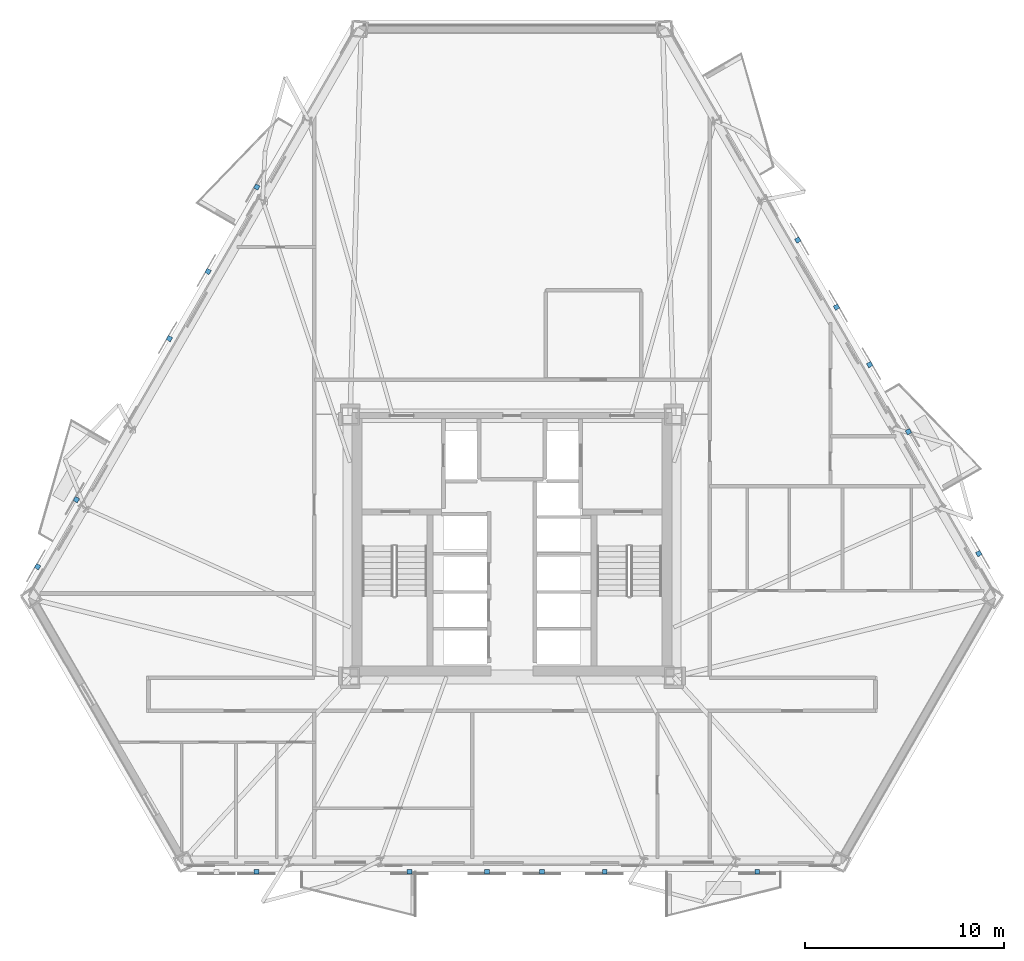
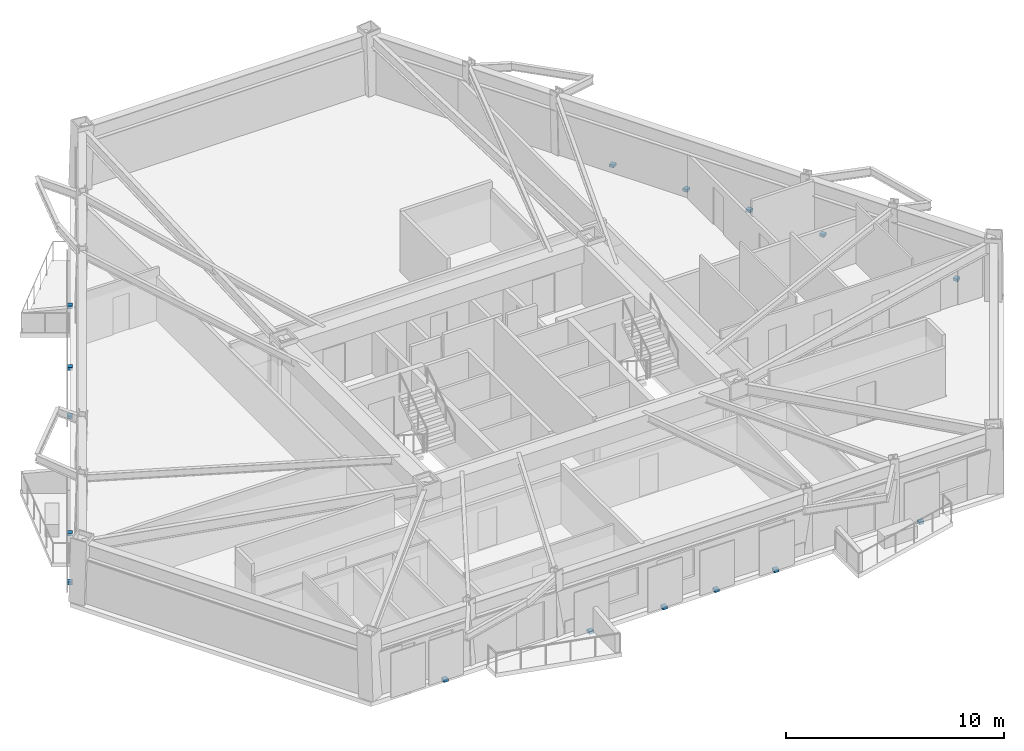
# One storey, part 6 of 13: 16 discrete accessories.
"""IFC4 building model written with IfcOpenShell, lengths in metres."""

import ifcopenshell
import ifcopenshell.guid

model = None  # the IFC model being written
_history = None  # IfcOwnerHistory: only IFC2X3 demands one
_inside = {}  # id of a spatial element -> (the spatial element, [elements in it])
_under = {}  # id of a project, library or spatial element -> (it, [spatial elements below it])
_declared = {}  # id of a project -> (the project, [libraries it declares])
_typed = {}  # id of a type object -> (the type object, [elements of that type])
_made_of = {}  # id of a material, layer set ... -> (it, [elements and type objects made of it])


def new_model(schema):
    """Start an empty IFC model of exactly this schema.

    Asked for "IFC4X3", IfcOpenShell would pick the latest addendum, in which some entities
    have other attributes; the version numbers below select the first issue.
    IFC2X3 requires an IfcOwnerHistory on every rooted entity: one is made here for all.
    """
    global model, _history
    if schema == "IFC4X3":
        model = ifcopenshell.file(schema_version=(4, 3, 0, 0))
    else:
        model = ifcopenshell.file(schema=schema)
    _inside.clear()
    _under.clear()
    _declared.clear()
    _typed.clear()
    _made_of.clear()
    _history = None
    if model.schema == "IFC2X3":
        org = make("IfcOrganization", Name="unknown")
        user = make(
            "IfcPersonAndOrganization",
            ThePerson=make("IfcPerson", FamilyName="unknown"),
            TheOrganization=org,
        )
        app = make(
            "IfcApplication",
            ApplicationDeveloper=org,
            Version="unknown",
            ApplicationFullName="unknown",
            ApplicationIdentifier="unknown",
        )
        _history = make(
            "IfcOwnerHistory",
            OwningUser=user,
            OwningApplication=app,
            ChangeAction="ADDED",
            CreationDate=0,
        )
    return model


def make(cls, **values):
    """One entity of the class cls with the attributes given. An attribute that is None is left unset."""
    return model.create_entity(
        cls, **{name: value for name, value in values.items() if value is not None}
    )


def rooted(cls, **values):
    """An entity with a GlobalId (a new one), such as an element, a storey or a relation."""
    return make(cls, GlobalId=ifcopenshell.guid.new(), OwnerHistory=_history, **values)


def si_unit(unit_type, name, prefix=None):
    """IfcSIUnit, for example si_unit("LENGTHUNIT", "METRE", prefix="MILLI")."""
    return make("IfcSIUnit", UnitType=unit_type, Prefix=prefix, Name=name)


def assignment(units):
    """IfcUnitAssignment: the units of a project."""
    return None if units is None else make("IfcUnitAssignment", Units=units)


def point(xyz):
    """IfcCartesianPoint."""
    return None if xyz is None else make("IfcCartesianPoint", Coordinates=xyz)


def direction(xyz):
    """IfcDirection."""
    return None if xyz is None else make("IfcDirection", DirectionRatios=xyz)


def frame(location, z_axis=None, x_axis=None):
    """IfcAxis2Placement3D, a coordinate frame: its origin and axes. An axis left out is left unset."""
    return make(
        "IfcAxis2Placement3D",
        Location=point(location),
        Axis=direction(z_axis),
        RefDirection=direction(x_axis),
    )


def frame_2d(location, x_axis=None):
    """IfcAxis2Placement2D, a coordinate frame in the plane: its origin and x axis."""
    return make(
        "IfcAxis2Placement2D", Location=point(location), RefDirection=direction(x_axis)
    )


def origin():
    """The frame at (0, 0, 0) with its axes left unset."""
    return frame((0.0, 0.0, 0.0))


def origin_2d():
    """The frame at (0, 0) in the plane with its x axis left unset."""
    return frame_2d((0.0, 0.0))


def place(relative_to, where):
    """IfcLocalPlacement: puts the frame where relative to a parent placement (None: the world)."""
    return make(
        "IfcLocalPlacement", PlacementRelTo=relative_to, RelativePlacement=where
    )


def context(
    kind, dimensions, precision=None, world=None, true_north=None, identifier=None
):
    """IfcGeometricRepresentationContext, for example the 3D "Model" context."""
    return make(
        "IfcGeometricRepresentationContext",
        ContextIdentifier=identifier,
        ContextType=kind,
        CoordinateSpaceDimension=dimensions,
        Precision=precision,
        WorldCoordinateSystem=world,
        TrueNorth=true_north,
    )


def subcontext(parent, identifier, kind, view, scale=None):
    """IfcGeometricRepresentationSubContext, for example "Body" below "Model"."""
    return make(
        "IfcGeometricRepresentationSubContext",
        ContextIdentifier=identifier,
        ContextType=kind,
        ParentContext=parent,
        TargetScale=scale,
        TargetView=view,
    )


def project(units=None, contexts=None):
    """IfcProject with its units and contexts."""
    return rooted(
        "IfcProject",
        Name="project",
        RepresentationContexts=contexts,
        UnitsInContext=assignment(units),
    )


def spatial(cls, under=None, at=None, **own):
    """A site, building, storey or space (cls), placed at a placement, below another one or the project."""
    s = rooted(cls, ObjectPlacement=at, **own)
    if under is not None:
        _under.setdefault(under.id(), (under, []))[1].append(s)
    return s


def profile(cls, at=None, kind="AREA", **sizes):
    """A parametric profile (cls). Its sizes go by their IFC names, for example OverallWidth=200.0."""
    return make(cls, ProfileType=kind, Position=at, **sizes)


def rectangle(**sizes):
    """IfcRectangleProfileDef."""
    return profile("IfcRectangleProfileDef", **sizes)


def extrude(swept, where, along, depth):
    """IfcExtrudedAreaSolid: the profile swept, set in the frame where, extruded along a direction by depth."""
    return make(
        "IfcExtrudedAreaSolid",
        SweptArea=swept,
        Position=where,
        ExtrudedDirection=direction(along),
        Depth=depth,
    )


def shape(context_of_items, identifier, shape_type, items):
    """IfcShapeRepresentation: the items that make up one representation, for example the "Body"."""
    return make(
        "IfcShapeRepresentation",
        ContextOfItems=context_of_items,
        RepresentationIdentifier=identifier,
        RepresentationType=shape_type,
        Items=items,
    )


def made_of(thing, what):
    """Note that an element or type object is made of a material, layer set ...; save() writes the relation."""
    if what is not None:
        _made_of.setdefault(what.id(), (what, []))[1].append(thing)
    return thing


def element(
    cls,
    number,
    at=None,
    inside=None,
    cuts=None,
    type_object=None,
    material=None,
    context=None,
    identifier="Body",
    shape_type=None,
    held_by="IfcProductDefinitionShape",
    body=None,
    shapes=None,
    **own,
):
    """One element of the class cls, such as IfcWall. Its Tag is "e" and its number.

    at: its placement. inside: the storey or other place that contains it. cuts: it is an
    opening in that element (IfcRelVoidsElement). A single representation is given by context,
    identifier, shape_type and body (its items); several are given by shapes. held_by: the class
    of the entity that holds the representations. save() writes the other relations.
    """
    e = rooted(cls, Tag="e%d" % number, ObjectPlacement=at, **own)
    if body is not None:
        shapes = [shape(context, identifier, shape_type, body)]
    if shapes is not None:
        e.Representation = make(held_by, Representations=shapes)
    if inside is not None:
        _inside.setdefault(inside.id(), (inside, []))[1].append(e)
    if cuts is not None:
        rooted(
            "IfcRelVoidsElement", RelatingBuildingElement=cuts, RelatedOpeningElement=e
        )
    if type_object is not None:
        _typed.setdefault(type_object.id(), (type_object, []))[1].append(e)
    return made_of(e, material)


def aggregate(whole, parts):
    """IfcRelAggregates: a whole, such as a stair, and the parts it consists of."""
    return rooted("IfcRelAggregates", RelatingObject=whole, RelatedObjects=parts)


def save(model, path):
    """Write the relations noted so far, then the file.

    IfcRelAggregates (storeys below a building ...), IfcRelContainedInSpatialStructure (elements
    in a storey), IfcRelDefinesByType, IfcRelAssociatesMaterial and IfcRelDeclares: one each for
    every whole, place, type object, material and project.
    """
    for whole, parts in _under.values():
        aggregate(whole, parts)
    for where, things in _inside.values():
        rooted(
            "IfcRelContainedInSpatialStructure",
            RelatedElements=things,
            RelatingStructure=where,
        )
    for kind, things in _typed.values():
        rooted("IfcRelDefinesByType", RelatedObjects=things, RelatingType=kind)
    for what, things in _made_of.values():
        rooted("IfcRelAssociatesMaterial", RelatedObjects=things, RelatingMaterial=what)
    for by, libraries in _declared.values():
        rooted("IfcRelDeclares", RelatingContext=by, RelatedDefinitions=libraries)
    model.write(path)


model = new_model("IFC4")

# Units and contexts
model_context = context("Model", 3, precision=1e-05, world=origin(), true_north=direction((0.0, 1.0)))
body_context = subcontext(model_context, "Body", "Model", "MODEL_VIEW")
ifc_project = project(units=[si_unit("LENGTHUNIT", "METRE"), si_unit("AREAUNIT", "SQUARE_METRE"), si_unit("VOLUMEUNIT", "CUBIC_METRE"), si_unit("PLANEANGLEUNIT", "RADIAN"), si_unit("MASSUNIT", "GRAM", prefix="KILO")], contexts=[model_context])

# Site, building, storey
site_placement = place(None, origin())
site = spatial("IfcSite", under=ifc_project, at=site_placement, CompositionType="ELEMENT")
building_placement = place(site_placement, origin())
building = spatial("IfcBuilding", under=site, at=building_placement, Name="Oramaril Tower", CompositionType="ELEMENT")
storey_placement = place(building_placement, frame((0.0, 0.0, 38.10009765625)))
storey = spatial("IfcBuildingStorey", under=building, at=storey_placement, Name="L09", CompositionType="ELEMENT", Elevation=38.10009765625)

# Discrete accessories
for number, where, z_axis, x_axis, name in (
    (1, (32.338623046875, 1.19384765625, -0.14013671875), (0.0, 0.0, 1.0), (1.0, 0.0, 0.0), "L09 Solar Screen Slab Bracket"),
    (2, (36.238525390625, 1.19384765625, -0.14013671875), (0.0, 0.0, 1.0), (1.0, 0.0, 0.0), "L09 Solar Screen Slab Bracket"),
    (3, (39.004150390625, 1.19384765625, -0.14013671875), (0.0, 0.0, 1.0), (1.0, 0.0, 0.0), "L09 Solar Screen Slab Bracket"),
    (4, (42.163818359375, 1.19384765625, -0.14013671875), (0.0, 0.0, 1.0), (1.0, 0.0, 0.0), "L09 Solar Screen Slab Bracket"),
    (5, (24.635009765625, 1.19384765625, -0.14013671875), (0.0, 0.0, 1.0), (1.0, 0.0, 0.0), "L09 Solar Screen Slab Bracket"),
    (6, (49.84521484375, 1.19384765625, -0.14013671875), (0.0, 0.0, 1.0), (1.0, 0.0, 0.0), "L09 Solar Screen Slab Bracket"),
    (7, (61.0, 17.208984375, -0.14013671875), (0.0, 0.0, 1.0), (-0.4999984885, 0.866026276448, 0.0), "L09 Solar Screen Slab Bracket"),
    (8, (53.837646484375, 29.61474609375, -0.14013671875), (0.0, 0.0, 1.0), (-0.4999984885, 0.866026276448, 0.0), "L09 Solar Screen Slab Bracket"),
    (9, (51.8876953125, 32.9921875, -0.14013671875), (0.0, 0.0, 1.0), (-0.4999984885, 0.866026276448, 0.0), "L09 Solar Screen Slab Bracket"),
    (10, (57.45751953125, 23.3447265625, -0.14013671875), (0.0, 0.0, 1.0), (-0.4999984885, 0.866026276448, 0.0), "L09 Solar Screen Slab Bracket"),
    (11, (55.507568359375, 26.72216796875, -0.14013671875), (0.0, 0.0, 1.0), (-0.4999984885, 0.866026276448, 0.0), "L09 Solar Screen Slab Bracket"),
    (12, (22.199462890625, 31.410888671875, -0.14013671875), (0.0, 0.0, 1.0), (-0.4999984885, -0.866026276448, 0.0), "L09 Solar Screen Slab Bracket"),
    (13, (20.24951171875, 28.033447265625, -0.14013671875), (0.0, 0.0, 1.0), (-0.4999984885, -0.866026276448, 0.0), "L09 Solar Screen Slab Bracket"),
    (14, (15.56787109375, 19.92431640625, -0.14013671875), (0.0, 0.0, 1.0), (-0.4999984885, -0.866026276448, 0.0), "L09 Solar Screen Slab Bracket"),
    (15, (13.617919921875, 16.546875, -0.14013671875), (0.0, 0.0, 1.0), (-0.4999984885, -0.866026276448, 0.0), "L09 Solar Screen Slab Bracket"),
    (16, (24.653076171875, 35.66064453125, -0.14013671875), (0.0, 0.0, 1.0), (-0.4999984885, -0.866026276448, 0.0), "L09 Solar Screen Slab Bracket"),
):
    element("IfcDiscreteAccessory", number, at=place(storey_placement, frame(where, z_axis=z_axis, x_axis=x_axis)), inside=storey, Name=name, PredefinedType="BRACKET", context=body_context, shape_type="SweptSolid", body=[
        extrude(rectangle(XDim=0.239990234375, YDim=0.239990234375, at=origin_2d()), origin(), (0.0, 0.0, 1.0), 0.159912109375),
    ])

save(model, "model.ifc")
